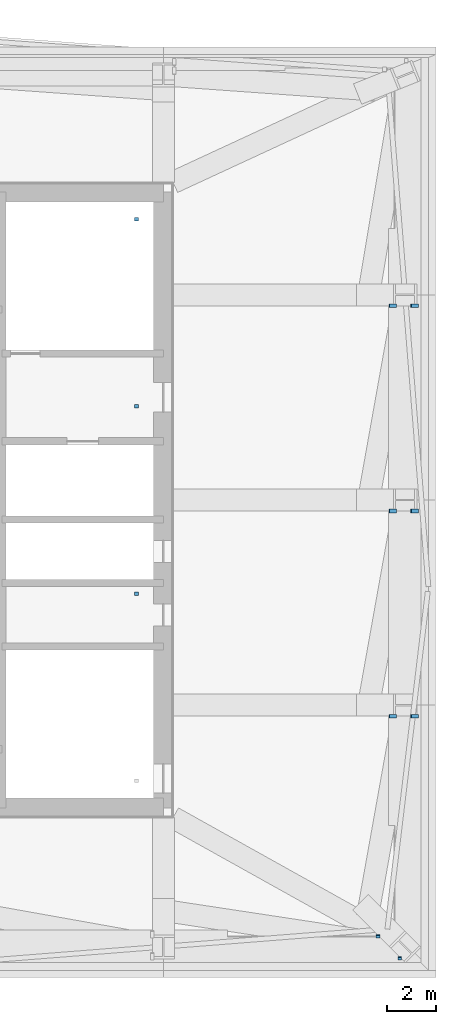
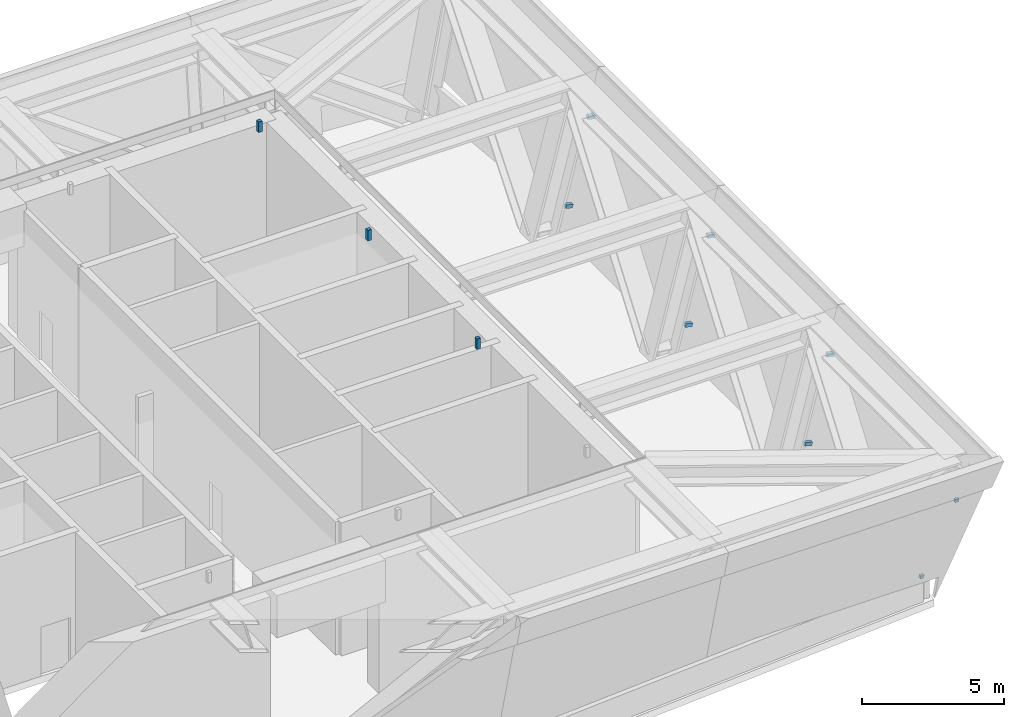
# One storey, part 5 of 7: 11 discrete accessories.
"""IFC4 building model written with IfcOpenShell, lengths in metres."""

from ifc_helpers import new_model, si_unit, direction, frame, origin, origin_2d, place, context, subcontext, project, spatial, rectangle, extrude, material, type_object, element, save


model = new_model("IFC4")

# Units and contexts
model_context = context("Model", 3, precision=1e-05, world=origin(), true_north=direction((0.0, 1.0)))
body_context = subcontext(model_context, "Body", "Model", "MODEL_VIEW")
ifc_project = project(units=[si_unit("LENGTHUNIT", "METRE"), si_unit("AREAUNIT", "SQUARE_METRE"), si_unit("VOLUMEUNIT", "CUBIC_METRE"), si_unit("PLANEANGLEUNIT", "RADIAN"), si_unit("MASSUNIT", "GRAM", prefix="KILO")], contexts=[model_context])

# Site, building, storey
site_placement = place(None, origin())
site = spatial("IfcSite", under=ifc_project, at=site_placement, CompositionType="ELEMENT")
building_placement = place(site_placement, origin())
building = spatial("IfcBuilding", under=site, at=building_placement, Name="Rekha Terrace Tower", CompositionType="ELEMENT")
storey_placement = place(building_placement, frame((0.0, 0.0, 296.75)))
storey = spatial("IfcBuildingStorey", under=building, at=storey_placement, Name="L75", CompositionType="ELEMENT", Elevation=296.75)

# Discrete accessories
ifc_material_1 = material(Name="Galvanised steel bracket", Category="steel")
discrete_accessory_type_1 = type_object("IfcDiscreteAccessoryType", Name="CB2 crown screen bracket 150 x 150", PredefinedType="BRACKET", material=ifc_material_1)
discrete_accessory_1_placement = place(storey_placement, frame((59.18603515625, 15.787353515625, 1.281982421875), z_axis=(0.0, -0.968554137899, -0.248802897809), x_axis=(1.0, 0.0, 0.0)))
element("IfcDiscreteAccessory", 1, at=discrete_accessory_1_placement, inside=storey, type_object=discrete_accessory_type_1, Name="Crown screen bracket 8C foot", PredefinedType="BRACKET", context=body_context, shape_type="SweptSolid", body=[
    extrude(rectangle(XDim=0.14990234375, YDim=0.14990234375, at=origin_2d()), origin(), (0.0, 0.0, 1.0), 0.10986328125),
])
discrete_accessory_2_placement = place(storey_placement, frame((60.08349609375, 14.889892578125, 4.781982421875), z_axis=(0.0, -0.968691209767, -0.248268685341), x_axis=(1.0, 0.0, 0.0)))
element("IfcDiscreteAccessory", 2, at=discrete_accessory_2_placement, inside=storey, type_object=discrete_accessory_type_1, Name="Crown screen bracket 8C head", PredefinedType="BRACKET", context=body_context, shape_type="SweptSolid", body=[
    extrude(rectangle(XDim=0.14990234375, YDim=0.14990234375, at=origin_2d()), origin(), (0.0, 0.0, 1.0), 0.110107421875),
])
discrete_accessory_3_placement = place(storey_placement, frame((59.646484375, 24.75, 1.328369140625), z_axis=(0.968546496839, 0.0, -0.248832641471), x_axis=(0.0, 1.0, 0.0)))
element("IfcDiscreteAccessory", 3, at=discrete_accessory_3_placement, inside=storey, type_object=discrete_accessory_type_1, Name="Crown screen bracket 8D foot", PredefinedType="BRACKET", context=body_context, shape_type="SweptSolid", body=[
    extrude(rectangle(XDim=0.14990234375, YDim=0.14990234375, at=origin_2d()), origin(), (0.0, 0.0, 1.0), 0.282470703125),
])
discrete_accessory_4_placement = place(storey_placement, frame((60.5439453125, 24.75, 4.828369140625), z_axis=(0.968492932597, 0.0, -0.249041039811), x_axis=(0.0, 1.0, 0.0)))
element("IfcDiscreteAccessory", 4, at=discrete_accessory_4_placement, inside=storey, type_object=discrete_accessory_type_1, Name="Crown screen bracket 8D head", PredefinedType="BRACKET", context=body_context, shape_type="SweptSolid", body=[
    extrude(rectangle(XDim=0.14990234375, YDim=0.14990234375, at=origin_2d()), origin(), (0.0, 0.0, 1.0), 0.2822265625),
])
discrete_accessory_5_placement = place(storey_placement, frame((59.646484375, 33.14990234375, 1.328369140625), z_axis=(0.968546496839, 0.0, -0.248832641471), x_axis=(0.0, 1.0, 0.0)))
element("IfcDiscreteAccessory", 5, at=discrete_accessory_5_placement, inside=storey, type_object=discrete_accessory_type_1, Name="Crown screen bracket 8E foot", PredefinedType="BRACKET", context=body_context, shape_type="SweptSolid", body=[
    extrude(rectangle(XDim=0.14990234375, YDim=0.14990234375, at=origin_2d()), origin(), (0.0, 0.0, 1.0), 0.282470703125),
])
discrete_accessory_6_placement = place(storey_placement, frame((60.5439453125, 33.14990234375, 4.828369140625), z_axis=(0.968492932597, 0.0, -0.249041039811), x_axis=(0.0, 1.0, 0.0)))
element("IfcDiscreteAccessory", 6, at=discrete_accessory_6_placement, inside=storey, type_object=discrete_accessory_type_1, Name="Crown screen bracket 8E head", PredefinedType="BRACKET", context=body_context, shape_type="SweptSolid", body=[
    extrude(rectangle(XDim=0.14990234375, YDim=0.14990234375, at=origin_2d()), origin(), (0.0, 0.0, 1.0), 0.2822265625),
])
discrete_accessory_7_placement = place(storey_placement, frame((59.646484375, 41.550048828125, 1.328369140625), z_axis=(0.968546496839, 0.0, -0.248832641471), x_axis=(0.0, 1.0, 0.0)))
element("IfcDiscreteAccessory", 7, at=discrete_accessory_7_placement, inside=storey, type_object=discrete_accessory_type_1, Name="Crown screen bracket 8F foot", PredefinedType="BRACKET", context=body_context, shape_type="SweptSolid", body=[
    extrude(rectangle(XDim=0.14990234375, YDim=0.14990234375, at=origin_2d()), origin(), (0.0, 0.0, 1.0), 0.282470703125),
])
discrete_accessory_8_placement = place(storey_placement, frame((60.5439453125, 41.550048828125, 4.828369140625), z_axis=(0.968492932597, 0.0, -0.249041039811), x_axis=(0.0, 1.0, 0.0)))
element("IfcDiscreteAccessory", 8, at=discrete_accessory_8_placement, inside=storey, type_object=discrete_accessory_type_1, Name="Crown screen bracket 8F head", PredefinedType="BRACKET", context=body_context, shape_type="SweptSolid", body=[
    extrude(rectangle(XDim=0.14990234375, YDim=0.14990234375, at=origin_2d()), origin(), (0.0, 0.0, 1.0), 0.2822265625),
])
ifc_material_2 = material(Name="Stainless steel anchor post", Category="steel")
discrete_accessory_type_2 = type_object("IfcDiscreteAccessoryType", Name="FA1 fall-arrest anchor post", PredefinedType="ANCHORPLATE", material=ifc_material_2)
for number, where, z_axis, x_axis, name in (
    (9, (49.300048828125, 29.76708984375, 6.0), (0.0, 0.0, 1.0), (1.0, 0.0, 0.0), "Crown roof fall-arrest anchor 5"),
    (10, (49.300048828125, 37.43310546875, 6.0), (0.0, 0.0, 1.0), (1.0, 0.0, 0.0), "Crown roof fall-arrest anchor 6"),
    (11, (49.300048828125, 45.10009765625, 6.0), (0.0, 0.0, 1.0), (1.0, 0.0, 0.0), "Crown roof fall-arrest anchor 7"),
):
    element("IfcDiscreteAccessory", number, at=place(storey_placement, frame(where, z_axis=z_axis, x_axis=x_axis)), inside=storey, type_object=discrete_accessory_type_2, Name=name, PredefinedType="ANCHORPLATE", context=body_context, shape_type="SweptSolid", body=[
        extrude(rectangle(XDim=0.14990234375, YDim=0.14990234375, at=origin_2d()), origin(), (0.0, 0.0, 1.0), 0.449951171875),
    ])

save(model, "model.ifc")
